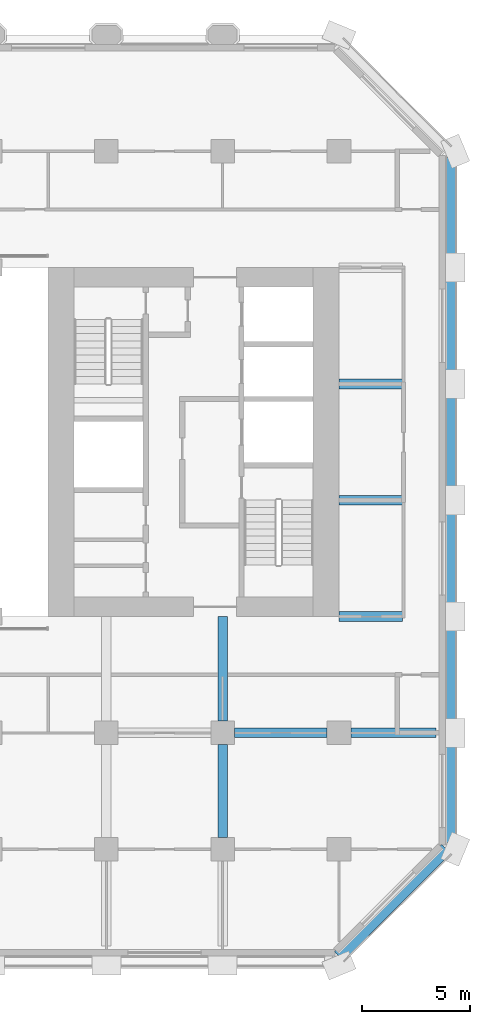
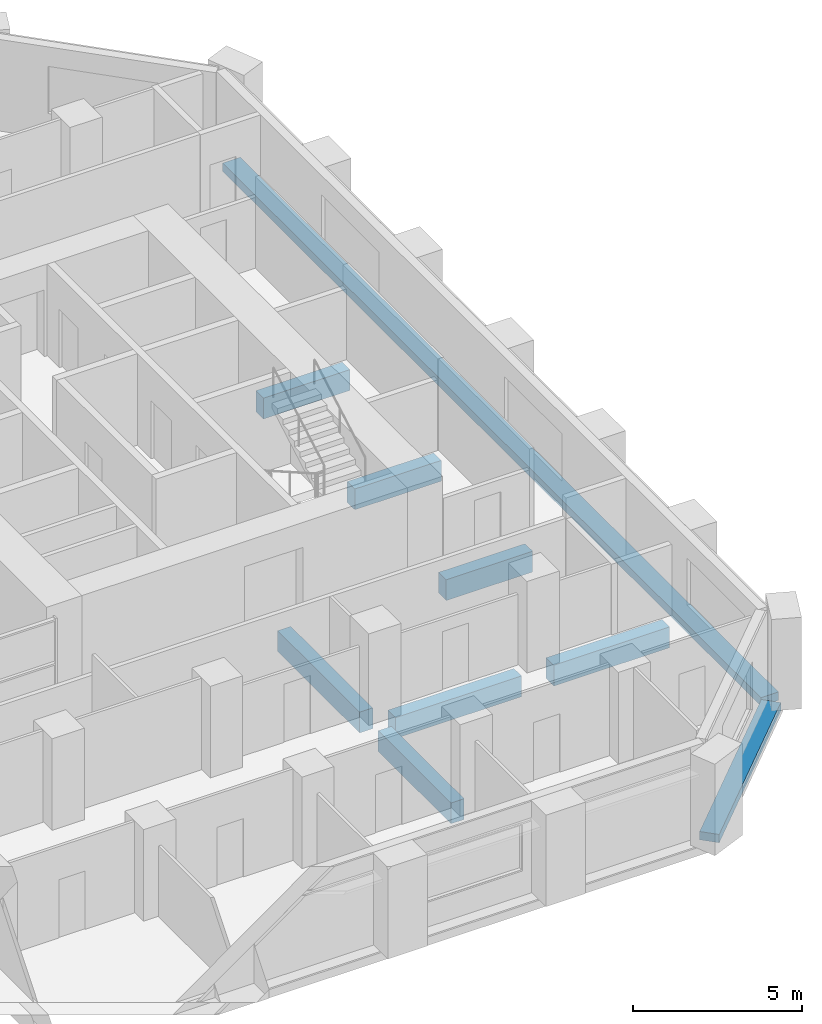
# One storey, part 5 of 13: 9 beams.
"""IFC4 building model written with IfcOpenShell, lengths in metres."""

from ifc_helpers import new_model, si_unit, direction, frame, origin, origin_2d, place, context, subcontext, project, spatial, rectangle, extrude, material, material_profile, profile_set, type_object, element, save


model = new_model("IFC4")

# Units and contexts
model_context = context("Model", 3, precision=1e-05, world=origin(), true_north=direction((0.0, 1.0)))
body_context = subcontext(model_context, "Body", "Model", "MODEL_VIEW")
ifc_project = project(units=[si_unit("LENGTHUNIT", "METRE"), si_unit("AREAUNIT", "SQUARE_METRE"), si_unit("VOLUMEUNIT", "CUBIC_METRE"), si_unit("PLANEANGLEUNIT", "RADIAN"), si_unit("MASSUNIT", "GRAM", prefix="KILO")], contexts=[model_context])

# Site, building, storey
site_placement = place(None, origin())
site = spatial("IfcSite", under=ifc_project, at=site_placement, CompositionType="ELEMENT")
building_placement = place(site_placement, origin())
building = spatial("IfcBuilding", under=site, at=building_placement, Name="Tabaq Tower and Sports Hall", CompositionType="ELEMENT")
storey_placement = place(building_placement, frame((0.0, 0.0, 56.39990234375)))
storey = spatial("IfcBuildingStorey", under=building, at=storey_placement, Name="L12", CompositionType="ELEMENT", Elevation=56.39990234375)

# Beams
ifc_material_1 = material(Name="Concrete C40/50", Category="concrete")
ifc_material_profile_1 = material_profile(ifc_material_1, rectangle(XDim=0.449951171875, YDim=0.75, at=origin_2d()), Name="CB 450x750")
ifc_profile_set_1 = profile_set([ifc_material_profile_1], Name="Concrete C40/50")
beam_type_1 = type_object("IfcBeamType", Name="PT CANTILEVER BEAM CB 450x750 C40/50", PredefinedType="BEAM", material=ifc_profile_set_1)
beam_1_placement = place(storey_placement, frame((47.699951171875, 10.800048828125, -0.6748046875), z_axis=(-1.0, 0.0, 0.0), x_axis=(0.0, -1.0, 0.0)))
element("IfcBeam", 1, at=beam_1_placement, inside=storey, type_object=beam_type_1, Name="Cantilever Beam L12 E2 span 1", PredefinedType="BEAM", context=body_context, shape_type="SweptSolid", body=[
    extrude(rectangle(XDim=0.449951171875, YDim=0.75, at=origin_2d()), origin(), (0.0, 0.0, 1.0), 3.949951171875),
])
beam_2_placement = place(storey_placement, frame((42.64990234375, 10.800048828125, -0.6748046875), z_axis=(-1.0, 0.0, 0.0), x_axis=(0.0, -1.0, 0.0)))
element("IfcBeam", 2, at=beam_2_placement, inside=storey, type_object=beam_type_1, Name="Cantilever Beam L12 E2 span 2", PredefinedType="BEAM", context=body_context, shape_type="SweptSolid", body=[
    extrude(rectangle(XDim=0.449951171875, YDim=0.75, at=origin_2d()), origin(), (0.0, 0.0, 1.0), 4.2998046875),
])
for number, where, z_axis, x_axis, name in (
    (3, (46.14990234375, 16.199951171875, -0.6748046875), (-1.0, 0.0, 0.0), (0.0, -1.0, 0.0), "Cantilever Beam L12 E3 span 1"),
    (4, (46.14990234375, 21.60009765625, -0.6748046875), (-1.0, 0.0, 0.0), (0.0, -1.0, 0.0), "Cantilever Beam L12 E4 span 1"),
    (5, (46.14990234375, 27.0, -0.6748046875), (-1.0, 0.0, 0.0), (0.0, -1.0, 0.0), "Cantilever Beam L12 E5 span 1"),
):
    element("IfcBeam", number, at=place(storey_placement, frame(where, z_axis=z_axis, x_axis=x_axis)), inside=storey, type_object=beam_type_1, Name=name, PredefinedType="BEAM", context=body_context, shape_type="SweptSolid", body=[
        extrude(rectangle(XDim=0.449951171875, YDim=0.75, at=origin_2d()), origin(), (0.0, 0.0, 1.0), 2.949951171875),
    ])
beam_3_placement = place(storey_placement, frame((37.800048828125, 5.949951171875, -0.6748046875), z_axis=(0.0, 1.0, 0.0), x_axis=(-1.0, 0.0, 0.0)))
element("IfcBeam", 6, at=beam_3_placement, inside=storey, type_object=beam_type_1, Name="Cantilever Beam L12 S7 span 2", PredefinedType="BEAM", context=body_context, shape_type="SweptSolid", body=[
    extrude(rectangle(XDim=0.449951171875, YDim=0.75, at=origin_2d()), origin(), (0.0, 0.0, 1.0), 4.300048828125),
])
beam_4_placement = place(storey_placement, frame((37.800048828125, 11.35009765625, -0.6748046875), z_axis=(0.0, 1.0, 0.0), x_axis=(-1.0, 0.0, 0.0)))
element("IfcBeam", 7, at=beam_4_placement, inside=storey, type_object=beam_type_1, Name="Cantilever Beam L12 S7 span 3", PredefinedType="BEAM", context=body_context, shape_type="SweptSolid", body=[
    extrude(rectangle(XDim=0.449951171875, YDim=0.75, at=origin_2d()), origin(), (0.0, 0.0, 1.0), 4.849853515625),
])
ifc_material_2 = material(Name="Concrete C40/50", Category="concrete")
ifc_material_profile_2 = material_profile(ifc_material_2, rectangle(XDim=0.60009765625, YDim=0.300048828125, at=origin_2d()), Name="EB 600x300")
ifc_profile_set_2 = profile_set([ifc_material_profile_2], Name="Concrete C40/50")
beam_type_2 = type_object("IfcBeamType", Name="PT EDGE BEAM EB 600x300 C40/50", PredefinedType="SPANDREL", material=ifc_profile_set_2)
beam_5_placement = place(storey_placement, frame((43.198974609375, 0.42333984375, -0.14990234375), z_axis=(0.707106781187, 0.707106781187, 0.0), x_axis=(-0.707106781187, 0.707106781187, 0.0)))
element("IfcBeam", 8, at=beam_5_placement, inside=storey, type_object=beam_type_2, Name="Edge Beam L12 2", PredefinedType="SPANDREL", context=body_context, shape_type="SweptSolid", body=[
    extrude(rectangle(XDim=0.60009765625, YDim=0.300048828125, at=origin_2d()), origin(), (0.0, 0.0, 1.0), 7.03955078125),
])
beam_6_placement = place(storey_placement, frame((48.300048828125, 5.698486328125, -0.14990234375), z_axis=(0.0, 1.0, 0.0), x_axis=(-1.0, 0.0, 0.0)))
element("IfcBeam", 9, at=beam_6_placement, inside=storey, type_object=beam_type_2, Name="Edge Beam L12 3", PredefinedType="SPANDREL", context=body_context, shape_type="SweptSolid", body=[
    extrude(rectangle(XDim=0.60009765625, YDim=0.300048828125, at=origin_2d()), origin(), (0.0, 0.0, 1.0), 31.802978515625),
])

save(model, "model.ifc")
